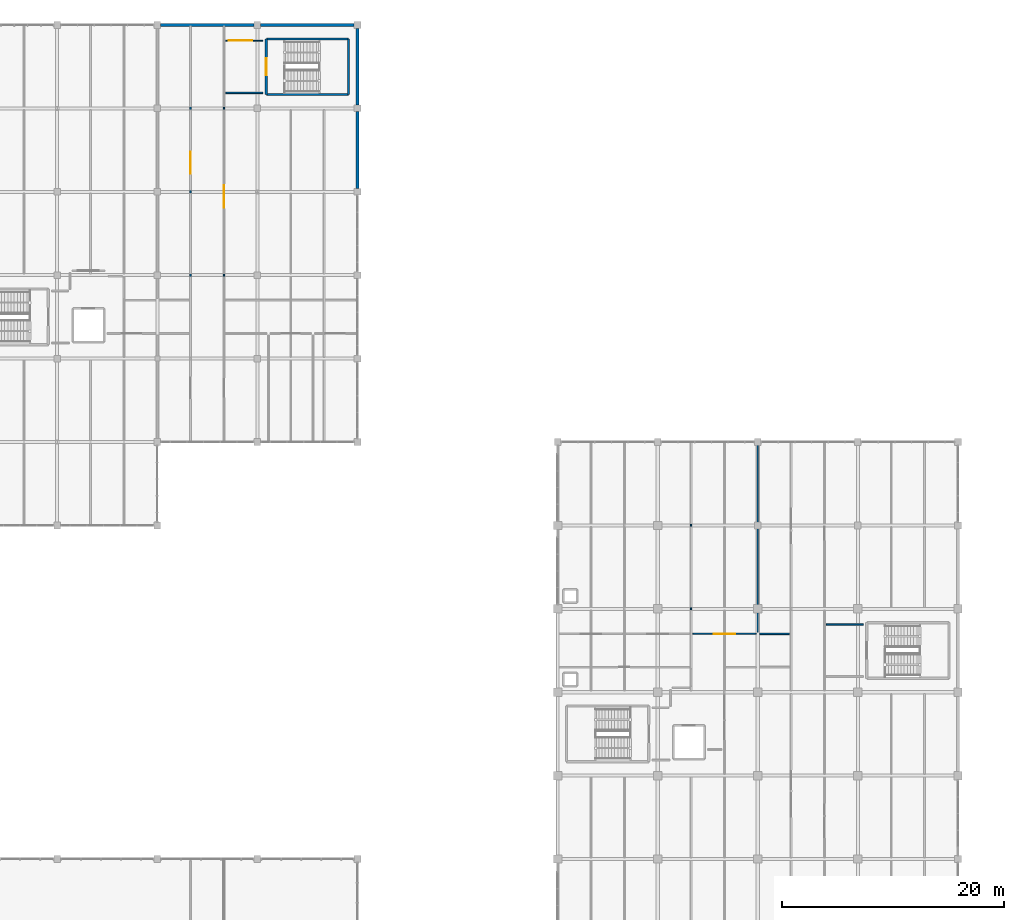
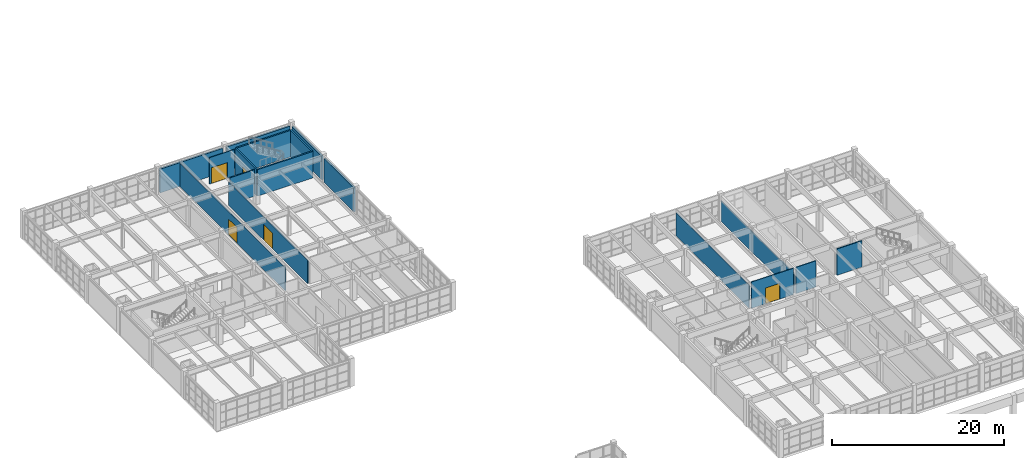
# One storey, part 71 of 76: 17 walls, 5 doors, 5 openings.
"""IFC4 building model written with IfcOpenShell, lengths in metres."""

from ifc_helpers import new_model, si_unit, direction, frame, frame_2d, origin, place, context, subcontext, project, spatial, rectangle, extrude, material, layer, layer_set, type_object, element, fill, save


model = new_model("IFC4")

# Units and contexts
model_context = context("Model", 3, precision=1e-05, world=origin(), true_north=direction((0.0, 1.0)))
body_context = subcontext(model_context, "Body", "Model", "MODEL_VIEW")
ifc_project = project(units=[si_unit("LENGTHUNIT", "METRE"), si_unit("AREAUNIT", "SQUARE_METRE"), si_unit("VOLUMEUNIT", "CUBIC_METRE"), si_unit("PLANEANGLEUNIT", "RADIAN"), si_unit("MASSUNIT", "GRAM", prefix="KILO")], contexts=[model_context])

# Site, building, storey
site_placement = place(None, origin())
site = spatial("IfcSite", under=ifc_project, at=site_placement, CompositionType="ELEMENT")
building_placement = place(site_placement, origin())
building = spatial("IfcBuilding", under=site, at=building_placement, Name="Marnridge Secondary College", CompositionType="ELEMENT")
storey_placement = place(building_placement, frame((0.0, 0.0, 4.5)))
storey = spatial("IfcBuildingStorey", under=building, at=storey_placement, Name="L01", CompositionType="ELEMENT", Elevation=4.5)

# Walls
ifc_material_1 = material(Name="Concrete C40/50 (AS 3600 N40, 40 MPa)", Category="concrete")
ifc_layer_1 = layer(ifc_material_1, 0.199951171875)
ifc_layer_set_1 = layer_set([ifc_layer_1], Name="WT-CORE-RC200")
wall_type_1 = type_object("IfcWallType", Name="WT-CORE-RC200", PredefinedType="SHEAR", material=ifc_layer_set_1)
wall_1_placement = place(storey_placement, frame((27.800048828125, 113.75, 0.0), z_axis=(0.0, 0.0, 1.0), x_axis=(1.0, 0.0, 0.0)))
element("IfcWall", 1, at=wall_1_placement, inside=storey, type_object=wall_type_1, Name="Stair core shear wall WC-L01-0357", PredefinedType="SHEAR", context=body_context, shape_type="SweptSolid", body=[
    extrude(rectangle(XDim=7.39990234375, YDim=0.199951171875, at=frame_2d((3.699951171875, 0.0))), origin(), (0.0, 0.0, 1.0), 3.760009765625),
])
wall_2_placement = place(storey_placement, frame((35.199951171875, 113.75, 0.0), z_axis=(0.0, 0.0, 1.0), x_axis=(0.0, 1.0, 0.0)))
element("IfcWall", 2, at=wall_2_placement, inside=storey, type_object=wall_type_1, Name="Stair core shear wall WC-L01-0358", PredefinedType="SHEAR", context=body_context, shape_type="SweptSolid", body=[
    extrude(rectangle(XDim=5.0, YDim=0.199951171875, at=frame_2d((2.5, 0.0))), origin(), (0.0, 0.0, 1.0), 3.760009765625),
])
wall_3_placement = place(storey_placement, frame((35.199951171875, 118.75, 0.0), z_axis=(0.0, 0.0, 1.0), x_axis=(-1.0, 0.0, 0.0)))
element("IfcWall", 3, at=wall_3_placement, inside=storey, type_object=wall_type_1, Name="Stair core shear wall WC-L01-0359", PredefinedType="SHEAR", context=body_context, shape_type="SweptSolid", body=[
    extrude(rectangle(XDim=7.39990234375, YDim=0.199951171875, at=frame_2d((3.699951171875, 0.0))), origin(), (0.0, 0.0, 1.0), 3.760009765625),
])

# Wall, opening, door
wall_4_placement = place(storey_placement, frame((27.800048828125, 118.75, 0.0), z_axis=(0.0, 0.0, 1.0), x_axis=(0.0, -1.0, 0.0)))
wall_4 = element("IfcWall", 4, at=wall_4_placement, inside=storey, type_object=wall_type_1, Name="Stair core shear wall WC-L01-0360", PredefinedType="SHEAR", context=body_context, shape_type="SweptSolid", body=[
    extrude(rectangle(XDim=5.0, YDim=0.199951171875, at=frame_2d((2.5, 0.0))), origin(), (0.0, 0.0, 1.0), 3.760009765625),
])
opening_1_placement = place(wall_4_placement, frame((1.75, 0.0, 0.0)))
opening_1 = element("IfcOpeningElement", 5, at=opening_1_placement, cuts=wall_4, Name="Opening DC-L01-028", PredefinedType="OPENING", context=body_context, shape_type="SweptSolid", body=[
    extrude(rectangle(XDim=1.5, YDim=2.14990234375, at=frame_2d((0.75, 1.074951171875))), frame((0.0, 0.10986328125, 0.0), z_axis=(0.0, -1.0, 0.0), x_axis=(1.0, 0.0, 0.0)), (0.0, 0.0, 1.0), 0.219970703125),
])
ifc_material_2 = material(Name="Fire-rated solid-core timber doorset", Category="wood")
door_type_1 = type_object("IfcDoorType", Name="DT-CORE-FD150", OperationType="DOUBLE_DOOR_SINGLE_SWING", PredefinedType="DOOR", material=ifc_material_2)
door_1_placement = place(opening_1_placement, origin())
door_1 = element("IfcDoor", 6, at=door_1_placement, inside=storey, type_object=door_type_1, Name="Fire stair door DC-L01-028", OperationType="DOUBLE_DOOR_SINGLE_SWING", OverallHeight=2.14990234375, OverallWidth=1.5, PredefinedType="DOOR", context=body_context, shape_type="SweptSolid", body=[
    extrude(rectangle(XDim=1.5, YDim=2.14990234375, at=frame_2d((0.75, 1.074951171875))), frame((0.0, 0.02490234375, 0.0), z_axis=(0.0, -1.0, 0.0), x_axis=(1.0, 0.0, 0.0)), (0.0, 0.0, 1.0), 0.050048828125),
])
fill(opening_1, door_1)

# Walls
ifc_material_3 = material(Name="Concrete C40/50 (AS 3600 N40, 40 MPa)", Category="concrete")
ifc_layer_2 = layer(ifc_material_3, 0.25)
ifc_layer_set_2 = layer_set([ifc_layer_2], Name="WT-EXT-RC250")
wall_type_2 = type_object("IfcWallType", Name="WT-EXT-RC250", PredefinedType="SOLIDWALL", material=ifc_layer_set_2)
for number, where, z_axis, x_axis, name in (
    (7, (18.2958984375, 120.0, 0.0), (0.0, 0.0, 1.0), (1.0, 0.0, 0.0), "Exterior wall WE-L01-0114"),
    (8, (27.2958984375, 120.0, 0.0), (0.0, 0.0, 1.0), (1.0, 0.0, 0.0), "Exterior wall WE-L01-0115"),
):
    element("IfcWall", number, at=place(storey_placement, frame(where, z_axis=z_axis, x_axis=x_axis)), inside=storey, type_object=wall_type_2, Name=name, PredefinedType="SOLIDWALL", context=body_context, shape_type="SweptSolid", body=[
        extrude(rectangle(XDim=8.408203125, YDim=0.25, at=frame_2d((4.2041015625, 0.0))), origin(), (0.0, 0.0, 1.0), 3.39990234375),
    ])
for number, where, z_axis, x_axis, name in (
    (9, (36.0, 119.7041015625, 0.0), (0.0, 0.0, 1.0), (0.0, -1.0, 0.0), "Exterior wall WE-L01-0116"),
    (10, (36.0, 112.2041015625, 0.0), (0.0, 0.0, 1.0), (0.0, -1.0, 0.0), "Exterior wall WE-L01-0117"),
):
    element("IfcWall", number, at=place(storey_placement, frame(where, z_axis=z_axis, x_axis=x_axis)), inside=storey, type_object=wall_type_2, Name=name, PredefinedType="SOLIDWALL", context=body_context, shape_type="SweptSolid", body=[
        extrude(rectangle(XDim=6.908203125, YDim=0.25, at=frame_2d((3.4541015625, 0.0))), origin(), (0.0, 0.0, 1.0), 3.39990234375),
    ])

# Wall, opening, door
ifc_material_4 = material(Name="Acoustic plasterboard partition Rw45", Category="gypsum")
ifc_layer_3 = layer(ifc_material_4, 0.1201171875)
ifc_layer_set_3 = layer_set([ifc_layer_3], Name="WT-PART-AC120")
wall_type_3 = type_object("IfcWallType", Name="WT-PART-AC120", PredefinedType="PARTITIONING", material=ifc_layer_set_3)
wall_5_placement = place(storey_placement, frame((21.0, 95.409912109375, 0.0), z_axis=(0.0, 0.0, 1.0), x_axis=(0.0, 1.0, 0.0)))
wall_5 = element("IfcWall", 11, at=wall_5_placement, inside=storey, type_object=wall_type_3, Name="Interior partition WP-L01-0199", PredefinedType="PARTITIONING", context=body_context, shape_type="SweptSolid", body=[
    extrude(rectangle(XDim=24.43017578125, YDim=0.1201171875, at=frame_2d((12.215087890625, 0.0))), origin(), (0.0, 0.0, 1.0), 3.302001953125),
])
opening_2_placement = place(wall_5_placement, frame((11.235107421875, 0.0, 0.0)))
opening_2 = element("IfcOpeningElement", 12, at=opening_2_placement, cuts=wall_5, Name="Opening DI-L01-0070", PredefinedType="OPENING", context=body_context, shape_type="SweptSolid", body=[
    extrude(rectangle(XDim=1.9599609375, YDim=2.239990234375, at=frame_2d((0.97998046875, 1.1201171875))), frame((0.0, 0.070068359375, 0.0), z_axis=(0.0, -1.0, 0.0), x_axis=(1.0, 0.0, 0.0)), (0.0, 0.0, 1.0), 0.14013671875),
])
ifc_material_5 = material(Name="Solid-core acoustic hoop-pine classroom doorset", Category="wood")
door_type_2 = type_object("IfcDoorType", Name="DT-RM-VAR22", OperationType="NOTDEFINED", PredefinedType="DOOR", material=ifc_material_5)
door_2_placement = place(opening_2_placement, origin())
door_2 = element("IfcDoor", 13, at=door_2_placement, inside=storey, type_object=door_type_2, Name="Interior door DI-L01-0070", OperationType="SINGLE_SWING_RIGHT", OverallHeight=2.239990234375, OverallWidth=1.9599609375, PredefinedType="DOOR", context=body_context, shape_type="SweptSolid", body=[
    extrude(rectangle(XDim=1.9599609375, YDim=2.239990234375, at=frame_2d((0.97998046875, 1.1201171875))), frame((0.0, 0.02490234375, 0.0), z_axis=(0.0, -1.0, 0.0), x_axis=(1.0, 0.0, 0.0)), (0.0, 0.0, 1.0), 0.050048828125),
])
fill(opening_2, door_2)

wall_6_placement = place(storey_placement, frame((24.0, 113.739990234375, 0.0), z_axis=(0.0, 0.0, 1.0), x_axis=(0.0, -1.0, 0.0)))
wall_6 = element("IfcWall", 14, at=wall_6_placement, inside=storey, type_object=wall_type_3, Name="Interior partition WP-L01-0201", PredefinedType="PARTITIONING", context=body_context, shape_type="SweptSolid", body=[
    extrude(rectangle(XDim=18.330078125, YDim=0.1201171875, at=frame_2d((9.1650390625, 0.0))), origin(), (0.0, 0.0, 1.0), 3.302001953125),
])
opening_3_placement = place(wall_6_placement, frame((8.14501953125, 0.0, 0.0)))
opening_3 = element("IfcOpeningElement", 15, at=opening_3_placement, cuts=wall_6, Name="Opening DI-L01-0071", PredefinedType="OPENING", context=body_context, shape_type="SweptSolid", body=[
    extrude(rectangle(XDim=2.0400390625, YDim=2.239990234375, at=frame_2d((1.02001953125, 1.1201171875))), frame((0.0, 0.070068359375, 0.0), z_axis=(0.0, -1.0, 0.0), x_axis=(1.0, 0.0, 0.0)), (0.0, 0.0, 1.0), 0.14013671875),
])
ifc_material_6 = material(Name="Solid-core acoustic hoop-pine classroom doorset", Category="wood")
door_type_3 = type_object("IfcDoorType", Name="DT-RM-VAR23", OperationType="NOTDEFINED", PredefinedType="DOOR", material=ifc_material_6)
door_3_placement = place(opening_3_placement, origin())
door_3 = element("IfcDoor", 16, at=door_3_placement, inside=storey, type_object=door_type_3, Name="Interior door DI-L01-0071", OperationType="SINGLE_SWING_LEFT", OverallHeight=2.239990234375, OverallWidth=2.0400390625, PredefinedType="DOOR", context=body_context, shape_type="SweptSolid", body=[
    extrude(rectangle(XDim=2.0400390625, YDim=2.239990234375, at=frame_2d((1.02001953125, 1.1201171875))), frame((0.0, 0.02490234375, 0.0), z_axis=(0.0, -1.0, 0.0), x_axis=(1.0, 0.0, 0.0)), (0.0, 0.0, 1.0), 0.050048828125),
])
fill(opening_3, door_3)

# Walls
ifc_material_7 = material(Name="Acoustic plasterboard partition Rw48", Category="gypsum")
ifc_layer_4 = layer(ifc_material_7, 0.135009765625)
ifc_layer_set_4 = layer_set([ifc_layer_4], Name="WT-PART-AC135")
wall_type_4 = type_object("IfcWallType", Name="WT-PART-AC135", PredefinedType="PARTITIONING", material=ifc_layer_set_4)
wall_7_placement = place(storey_placement, frame((72.159912109375, 65.25, 0.0), z_axis=(0.0, 0.0, 1.0), x_axis=(1.0, 0.0, 0.0)))
element("IfcWall", 17, at=wall_7_placement, inside=storey, type_object=wall_type_4, Name="Interior partition WP-L01-0144", PredefinedType="PARTITIONING", context=body_context, shape_type="SweptSolid", body=[
    extrude(rectangle(XDim=2.68017578125, YDim=0.135009765625, at=frame_2d((1.340087890625, 0.0))), origin(), (0.0, 0.0, 1.0), 3.739990234375),
])
wall_8_placement = place(storey_placement, frame((27.5, 113.89990234375, 0.0), z_axis=(0.0, 0.0, 1.0), x_axis=(-1.0, 0.0, 0.0)))
element("IfcWall", 18, at=wall_8_placement, inside=storey, type_object=wall_type_4, Name="Interior partition WP-L01-0200", PredefinedType="PARTITIONING", context=body_context, shape_type="SweptSolid", body=[
    extrude(rectangle(XDim=3.340087890625, YDim=0.135009765625, at=frame_2d((1.669921875, 0.0))), origin(), (0.0, 0.0, 1.0), 3.760009765625),
])
ifc_material_8 = material(Name="Acoustic plasterboard on steel Grade 350 framing Rw50", Category="steel")
ifc_layer_5 = layer(ifc_material_8, 0.14990234375)
ifc_layer_set_5 = layer_set([ifc_layer_5], Name="WT-PART-AC150")
wall_type_5 = type_object("IfcWallType", Name="WT-PART-AC150", PredefinedType="PARTITIONING", material=ifc_layer_set_5)
wall_9_placement = place(storey_placement, frame((78.159912109375, 66.10009765625, 0.0), z_axis=(0.0, 0.0, 1.0), x_axis=(1.0, 0.0, 0.0)))
element("IfcWall", 19, at=wall_9_placement, inside=storey, type_object=wall_type_5, Name="Interior partition WP-L01-0147", PredefinedType="PARTITIONING", context=body_context, shape_type="SweptSolid", body=[
    extrude(rectangle(XDim=3.340087890625, YDim=0.14990234375, at=frame_2d((1.669921875, 0.0))), origin(), (0.0, 0.0, 1.0), 3.739990234375),
])

# Wall, opening, door
ifc_material_9 = material(Name="Acoustic glazed studio partition system", Category="gypsum")
ifc_layer_6 = layer(ifc_material_9, 0.10009765625)
ifc_layer_set_6 = layer_set([ifc_layer_6], Name="WT-PART-GL100")
wall_type_6 = type_object("IfcWallType", Name="WT-PART-GL100", PredefinedType="PARTITIONING", material=ifc_layer_set_6)
wall_10_placement = place(storey_placement, frame((27.5, 118.60009765625, 0.0), z_axis=(0.0, 0.0, 1.0), x_axis=(-1.0, 0.0, 0.0)))
wall_10 = element("IfcWall", 20, at=wall_10_placement, inside=storey, type_object=wall_type_6, Name="Interior partition WP-L01-0203", PredefinedType="PARTITIONING", context=body_context, shape_type="SweptSolid", body=[
    extrude(rectangle(XDim=3.340087890625, YDim=0.10009765625, at=frame_2d((1.669921875, 0.0))), origin(), (0.0, 0.0, 1.0), 3.760009765625),
])
opening_4_placement = place(wall_10_placement, frame((0.95166015625, 0.0, 0.0)))
opening_4 = element("IfcOpeningElement", 21, at=opening_4_placement, cuts=wall_10, Name="Opening DI-L01-0072", PredefinedType="OPENING", context=body_context, shape_type="SweptSolid", body=[
    extrude(rectangle(XDim=2.1201171875, YDim=2.239990234375, at=frame_2d((1.06005859375, 1.1201171875))), frame((0.0, 0.06005859375, 0.0), z_axis=(0.0, -1.0, 0.0), x_axis=(1.0, 0.0, 0.0)), (0.0, 0.0, 1.0), 0.1201171875),
])
ifc_material_10 = material(Name="Solid-core acoustic hoop-pine classroom doorset", Category="wood")
door_type_4 = type_object("IfcDoorType", Name="DT-RM-VAR24", OperationType="NOTDEFINED", PredefinedType="DOOR", material=ifc_material_10)
door_4_placement = place(opening_4_placement, origin())
door_4 = element("IfcDoor", 22, at=door_4_placement, inside=storey, type_object=door_type_4, Name="Interior door DI-L01-0072", OperationType="SINGLE_SWING_RIGHT", OverallHeight=2.239990234375, OverallWidth=2.1201171875, PredefinedType="DOOR", context=body_context, shape_type="SweptSolid", body=[
    extrude(rectangle(XDim=2.1201171875, YDim=2.239990234375, at=frame_2d((1.06005859375, 1.1201171875))), frame((0.0, 0.02490234375, 0.0), z_axis=(0.0, -1.0, 0.0), x_axis=(1.0, 0.0, 0.0)), (0.0, 0.0, 1.0), 0.050048828125),
])
fill(opening_4, door_4)

# Wall
ifc_material_11 = material(Name="Moisture-resistant plasterboard sanitary partition", Category="gypsum")
ifc_layer_7 = layer(ifc_material_11, 0.110107421875)
ifc_layer_set_7 = layer_set([ifc_layer_7], Name="WT-PART-WT110")
wall_type_7 = type_object("IfcWallType", Name="WT-PART-WT110", PredefinedType="PARTITIONING", material=ifc_layer_set_7)
wall_11_placement = place(storey_placement, frame((66.0, 65.409912109375, 0.0), z_axis=(0.0, 0.0, 1.0), x_axis=(0.0, 1.0, 0.0)))
element("IfcWall", 23, at=wall_11_placement, inside=storey, type_object=wall_type_7, Name="Interior partition WP-L01-0127", PredefinedType="PARTITIONING", context=body_context, shape_type="SweptSolid", body=[
    extrude(rectangle(XDim=16.93017578125, YDim=0.110107421875, at=frame_2d((8.465087890625, 0.0))), origin(), (0.0, 0.0, 1.0), 3.281982421875),
])

# Wall, opening, door
wall_12_placement = place(storey_placement, frame((66.159912109375, 65.25, 0.0), z_axis=(0.0, 0.0, 1.0), x_axis=(1.0, 0.0, 0.0)))
wall_12 = element("IfcWall", 24, at=wall_12_placement, inside=storey, type_object=wall_type_7, Name="Interior partition WP-L01-0129", PredefinedType="PARTITIONING", context=body_context, shape_type="SweptSolid", body=[
    extrude(rectangle(XDim=5.68017578125, YDim=0.110107421875, at=frame_2d((2.840087890625, 0.0))), origin(), (0.0, 0.0, 1.0), 3.739990234375),
])
opening_5_placement = place(wall_12_placement, frame((1.860107421875, 0.0, 0.0)))
opening_5 = element("IfcOpeningElement", 25, at=opening_5_placement, cuts=wall_12, Name="Opening DI-L01-0046", PredefinedType="OPENING", context=body_context, shape_type="SweptSolid", body=[
    extrude(rectangle(XDim=1.9599609375, YDim=2.239990234375, at=frame_2d((0.97998046875, 1.1201171875))), frame((0.0, 0.06494140625, 0.0), z_axis=(0.0, -1.0, 0.0), x_axis=(1.0, 0.0, 0.0)), (0.0, 0.0, 1.0), 0.130126953125),
])
door_5_placement = place(opening_5_placement, origin())
door_5 = element("IfcDoor", 26, at=door_5_placement, inside=storey, type_object=door_type_2, Name="Interior door DI-L01-0046", OperationType="SINGLE_SWING_RIGHT", OverallHeight=2.239990234375, OverallWidth=1.9599609375, PredefinedType="DOOR", context=body_context, shape_type="SweptSolid", body=[
    extrude(rectangle(XDim=1.9599609375, YDim=2.239990234375, at=frame_2d((0.97998046875, 1.1201171875))), frame((0.0, 0.02490234375, 0.0), z_axis=(0.0, -1.0, 0.0), x_axis=(1.0, 0.0, 0.0)), (0.0, 0.0, 1.0), 0.050048828125),
])
fill(opening_5, door_5)

# Wall
wall_13_placement = place(storey_placement, frame((72.0, 65.409912109375, 0.0), z_axis=(0.0, 0.0, 1.0), x_axis=(0.0, 1.0, 0.0)))
element("IfcWall", 27, at=wall_13_placement, inside=storey, type_object=wall_type_7, Name="Interior partition WP-L01-0130", PredefinedType="PARTITIONING", context=body_context, shape_type="SweptSolid", body=[
    extrude(rectangle(XDim=16.93017578125, YDim=0.110107421875, at=frame_2d((8.465087890625, 0.0))), origin(), (0.0, 0.0, 1.0), 2.876953125),
])

save(model, "model.ifc")
